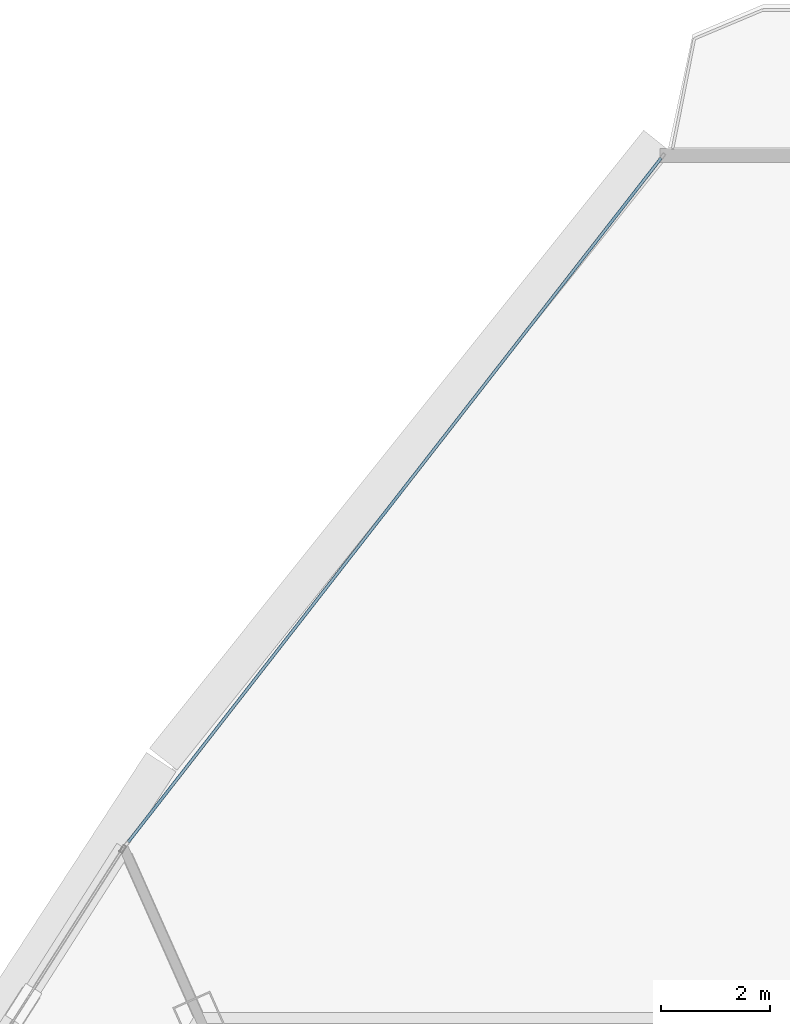
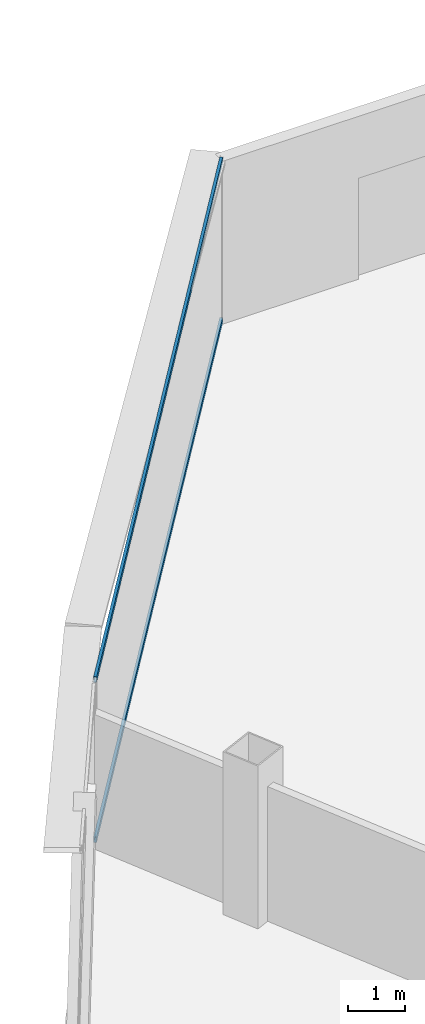
# One storey, part 20 of 37: 2 members, 1 element without a shape of its own.
"""IFC4 building model written with IfcOpenShell, lengths in metres."""

from ifc_helpers import new_model, si_unit, direction, frame, origin, origin_2d, place, context, subcontext, project, spatial, hollow_rectangle, extrude, source, transform, mapped, material, layer, layer_set, material_profile, profile_set, type_object, element, aggregate, save


model = new_model("IFC4")

# Units and contexts
model_context = context("Model", 3, precision=1e-05, world=origin(), true_north=direction((0.0, 1.0)))
body_context = subcontext(model_context, "Body", "Model", "MODEL_VIEW")
ifc_project = project(units=[si_unit("LENGTHUNIT", "METRE"), si_unit("AREAUNIT", "SQUARE_METRE"), si_unit("VOLUMEUNIT", "CUBIC_METRE"), si_unit("PLANEANGLEUNIT", "RADIAN"), si_unit("MASSUNIT", "GRAM", prefix="KILO"), si_unit("THERMODYNAMICTEMPERATUREUNIT", "KELVIN"), si_unit("POWERUNIT", "WATT")], contexts=[model_context])

# Site, building, storey
site_placement = place(None, origin())
site = spatial("IfcSite", under=ifc_project, at=site_placement, CompositionType="ELEMENT")
building_placement = place(site_placement, origin())
building = spatial("IfcBuilding", under=site, at=building_placement, Name="Yunzhuo Pagoda Commons", CompositionType="ELEMENT")
storey_placement = place(building_placement, frame((0.0, 0.0, 281.2900390625)))
storey = spatial("IfcBuildingStorey", under=building, at=storey_placement, Name="L70", CompositionType="ELEMENT", Elevation=281.2900390625)

# Curtain wall, members
ifc_material = material(Name="Anodized aluminium 6063-T6", Category="aluminium")
ifc_layer = layer(ifc_material, 0.139892578125)
ifc_layer_set = layer_set([ifc_layer], Name="Anodized aluminium 6063-T6")
curtain_wall_type = type_object("IfcCurtainWallType", Name="CW-HI High-Zone Ribbon Curtain Wall", PredefinedType="NOTDEFINED", material=ifc_layer_set)
curtain_wall_placement = place(storey_placement, origin())
curtain_wall = element("IfcCurtainWall", 1, at=curtain_wall_placement, inside=storey, type_object=curtain_wall_type, Name="L70 curtain wall CW-L70-F3B1", PredefinedType="NOTDEFINED")
ifc_material_profile = material_profile(ifc_material, hollow_rectangle(XDim=0.054931640625, YDim=0.1201171875, WallThickness=0.00341796875, at=origin_2d()), Name="Anodized aluminium 6063-T6")
ifc_profile_set = profile_set([ifc_material_profile], Name="Anodized aluminium 6063-T6")
member_type = type_object("IfcMemberType", Name="CW-HI-T Transom RHS 120x55x3.5", PredefinedType="USERDEFINED", material=ifc_profile_set)
shared_shape = source(origin(), body_context, "Body", "SweptSolid", [
    extrude(hollow_rectangle(XDim=0.054931640625, YDim=0.1201171875, WallThickness=0.00341796875, at=origin_2d()), origin(), (0.0, 0.0, 1.0), 15.966064453125),
])
member_1_placement = place(storey_placement, frame((44.385986328125, 76.745849609375, 0.02734375), z_axis=(-0.61466551627, -0.788787869524, 0.0), x_axis=(0.788787869524, -0.61466551627, 0.0)))
member_1 = element("IfcMember", 2, at=member_1_placement, type_object=member_type, Name="CW transom 1.1", ObjectType="TRANSOM", PredefinedType="USERDEFINED", context=body_context, shape_type="MappedRepresentation", body=[
    mapped(shared_shape, transform((0.0, 0.0, 0.0), scale=1.0)),
])
member_2_placement = place(storey_placement, frame((44.385986328125, 76.745849609375, 3.4423828125), z_axis=(-0.61466551627, -0.788787869524, 0.0), x_axis=(0.788787869524, -0.61466551627, 0.0)))
member_2 = element("IfcMember", 3, at=member_2_placement, type_object=member_type, Name="CW transom 1.2", ObjectType="TRANSOM", PredefinedType="USERDEFINED", context=body_context, shape_type="MappedRepresentation", body=[
    mapped(shared_shape, transform((0.0, 0.0, 0.0), scale=1.0)),
])
aggregate(curtain_wall, [member_1, member_2])

save(model, "model.ifc")
